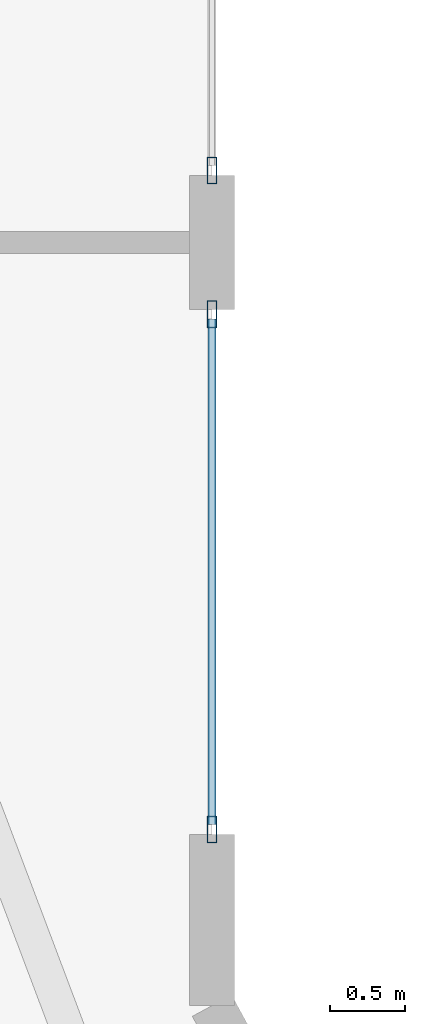
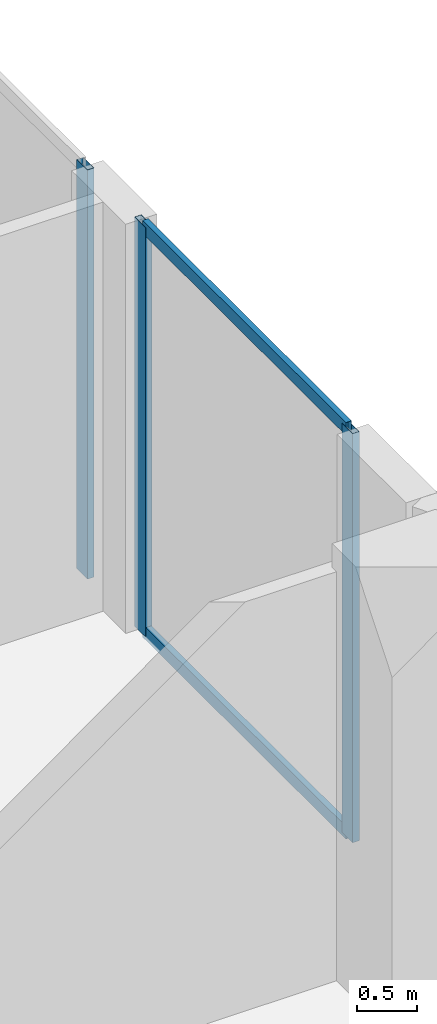
# One storey, part 10 of 24: 5 members, 2 elements without a shape of their own.
"""IFC4 building model written with IfcOpenShell, lengths in metres."""

from ifc_helpers import new_model, si_unit, direction, frame, origin, origin_2d, place, context, subcontext, project, spatial, hollow_rectangle, extrude, material, layer, layer_set, material_profile, profile_set, type_object, element, aggregate, save


model = new_model("IFC4")

# Units and contexts
model_context = context("Model", 3, precision=1e-05, world=origin(), true_north=direction((0.0, 1.0)))
body_context = subcontext(model_context, "Body", "Model", "MODEL_VIEW")
ifc_project = project(units=[si_unit("LENGTHUNIT", "METRE"), si_unit("AREAUNIT", "SQUARE_METRE"), si_unit("VOLUMEUNIT", "CUBIC_METRE"), si_unit("PLANEANGLEUNIT", "RADIAN"), si_unit("MASSUNIT", "GRAM", prefix="KILO")], contexts=[model_context])

# Site, building, storey
site_placement = place(None, origin())
site = spatial("IfcSite", under=ifc_project, at=site_placement, CompositionType="ELEMENT")
building_placement = place(site_placement, origin())
building = spatial("IfcBuilding", under=site, at=building_placement, Name="Zuhayl Quay Hotel", CompositionType="ELEMENT")
storey_placement = place(building_placement, frame((0.0, 0.0, 292.85009765625)))
storey = spatial("IfcBuildingStorey", under=building, at=storey_placement, Name="L74", CompositionType="ELEMENT", Elevation=292.85009765625)

# Curtain wall, member
ifc_material_1 = material(Name="Anodised Aluminium 6063-T6", Category="aluminium")
ifc_layer = layer(ifc_material_1, 0.169921875, Name="Anodised Aluminium 6063-T6", Category="aluminium")
ifc_layer_set = layer_set([ifc_layer], Name="Anodised Aluminium 6063-T6")
curtain_wall_type = type_object("IfcCurtainWallType", Name="CW_SYS_Z4", PredefinedType="USERDEFINED", material=ifc_layer_set)
curtain_wall_1_placement = place(storey_placement, origin())
curtain_wall_1 = element("IfcCurtainWall", 1, at=curtain_wall_1_placement, inside=storey, type_object=curtain_wall_type, Name="L74 Curtain Wall ENV_L74_E11_CW1", ObjectType="UNITISED CURTAIN WALL", PredefinedType="USERDEFINED")
ifc_material_2 = material(Name="Black-anodised aluminium 6063-T6", Category="aluminium")
ifc_material_profile_1 = material_profile(ifc_material_2, hollow_rectangle(XDim=0.06494140625, YDim=0.179931640625, WallThickness=0.00341796875, at=origin_2d()), Name="ALU180X65")
ifc_profile_set_1 = profile_set([ifc_material_profile_1], Name="Black-anodised aluminium 6063-T6")
member_type_1 = type_object("IfcMemberType", Name="MB_CW_MUL_180", PredefinedType="MULLION", material=ifc_profile_set_1)
member_1_placement = place(storey_placement, frame((20.199951171875, 29.702392578125, 0.0), z_axis=(0.0, 0.0, 1.0), x_axis=(1.0, 0.0, 0.0)))
member_1 = element("IfcMember", 2, at=member_1_placement, type_object=member_type_1, Name="CW-Z4 mullion 2", PredefinedType="MULLION", context=body_context, shape_type="SweptSolid", body=[
    extrude(hollow_rectangle(XDim=0.06494140625, YDim=0.179931640625, WallThickness=0.00341796875, at=origin_2d()), origin(), (0.0, 0.0, 1.0), 4.159912109375),
])
aggregate(curtain_wall_1, [member_1])

# Curtain wall, members
curtain_wall_2_placement = place(storey_placement, origin())
curtain_wall_2 = element("IfcCurtainWall", 3, at=curtain_wall_2_placement, inside=storey, type_object=curtain_wall_type, Name="L74 Curtain Wall ENV_L74_E11_CW2", ObjectType="UNITISED CURTAIN WALL", PredefinedType="USERDEFINED")
member_2_placement = place(storey_placement, frame((20.199951171875, 28.737548828125, 0.0), z_axis=(0.0, 0.0, 1.0), x_axis=(1.0, 0.0, 0.0)))
member_2 = element("IfcMember", 4, at=member_2_placement, type_object=member_type_1, Name="CW-Z4 mullion 1", PredefinedType="MULLION", context=body_context, shape_type="SweptSolid", body=[
    extrude(hollow_rectangle(XDim=0.06494140625, YDim=0.179931640625, WallThickness=0.00341796875, at=origin_2d()), origin(), (0.0, 0.0, 1.0), 4.159912109375),
])
member_3_placement = place(storey_placement, frame((20.199951171875, 25.282470703125, 0.0), z_axis=(0.0, 0.0, 1.0), x_axis=(1.0, 0.0, 0.0)))
member_3 = element("IfcMember", 5, at=member_3_placement, type_object=member_type_1, Name="CW-Z4 mullion 2", PredefinedType="MULLION", context=body_context, shape_type="SweptSolid", body=[
    extrude(hollow_rectangle(XDim=0.06494140625, YDim=0.179931640625, WallThickness=0.00341796875, at=origin_2d()), origin(), (0.0, 0.0, 1.0), 4.159912109375),
])
ifc_material_profile_2 = material_profile(ifc_material_2, hollow_rectangle(XDim=0.054931640625, YDim=0.1298828125, WallThickness=0.0029296875, at=origin_2d()), Name="ALU130X55")
ifc_profile_set_2 = profile_set([ifc_material_profile_2], Name="Black-anodised aluminium 6063-T6")
member_type_2 = type_object("IfcMemberType", Name="MB_CW_TRN_130", PredefinedType="USERDEFINED", material=ifc_profile_set_2)
member_4_placement = place(storey_placement, frame((20.199951171875, 28.705078125, 0.02734375), z_axis=(0.0, -1.0, 0.0), x_axis=(1.0, 0.0, 0.0)))
member_4 = element("IfcMember", 6, at=member_4_placement, type_object=member_type_2, Name="CW-Z4 transom 1.1", ObjectType="TRANSOM", PredefinedType="USERDEFINED", context=body_context, shape_type="SweptSolid", body=[
    extrude(hollow_rectangle(XDim=0.054931640625, YDim=0.1298828125, WallThickness=0.0029296875, at=origin_2d()), origin(), (0.0, 0.0, 1.0), 3.39013671875),
])
member_5_placement = place(storey_placement, frame((20.199951171875, 28.705078125, 4.13232421875), z_axis=(0.0, -1.0, 0.0), x_axis=(1.0, 0.0, 0.0)))
member_5 = element("IfcMember", 7, at=member_5_placement, type_object=member_type_2, Name="CW-Z4 transom 1.2", ObjectType="TRANSOM", PredefinedType="USERDEFINED", context=body_context, shape_type="SweptSolid", body=[
    extrude(hollow_rectangle(XDim=0.054931640625, YDim=0.1298828125, WallThickness=0.0029296875, at=origin_2d()), origin(), (0.0, 0.0, 1.0), 3.39013671875),
])
aggregate(curtain_wall_2, [member_2, member_3, member_4, member_5])

save(model, "model.ifc")
